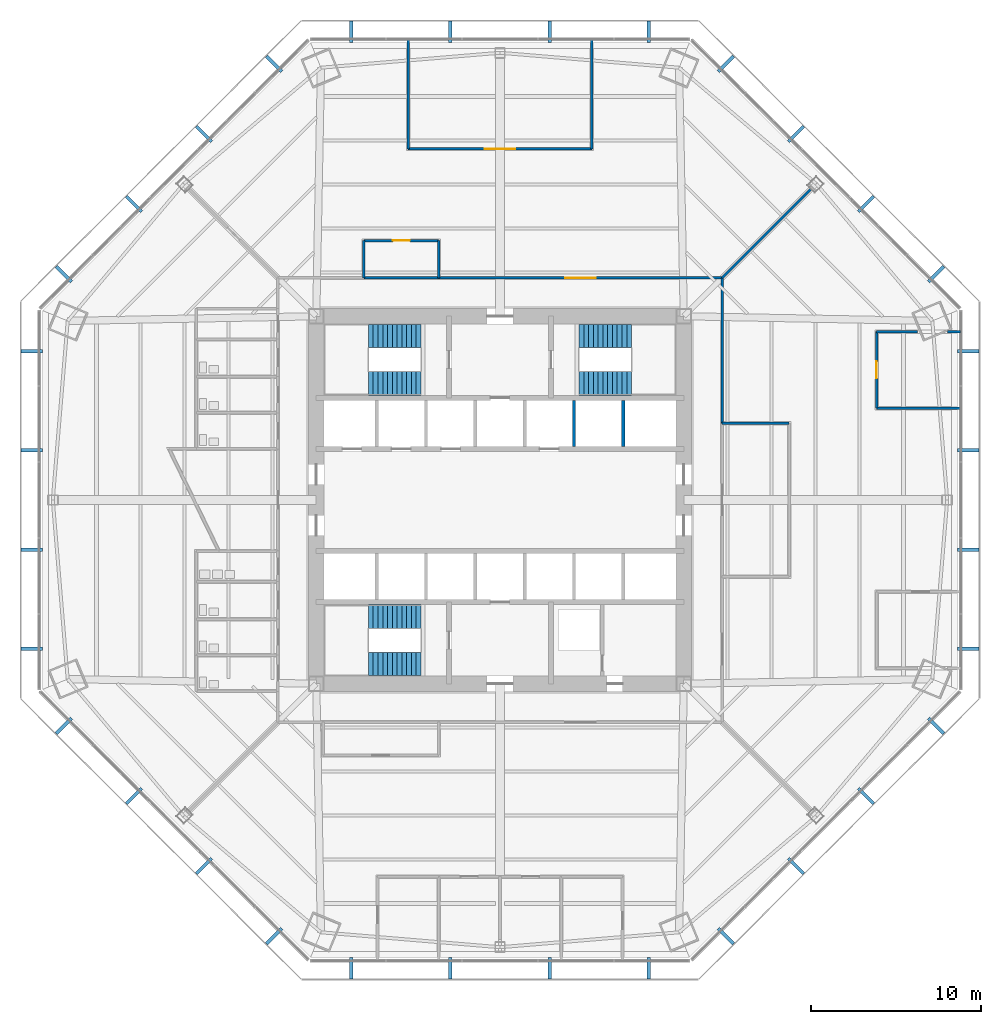
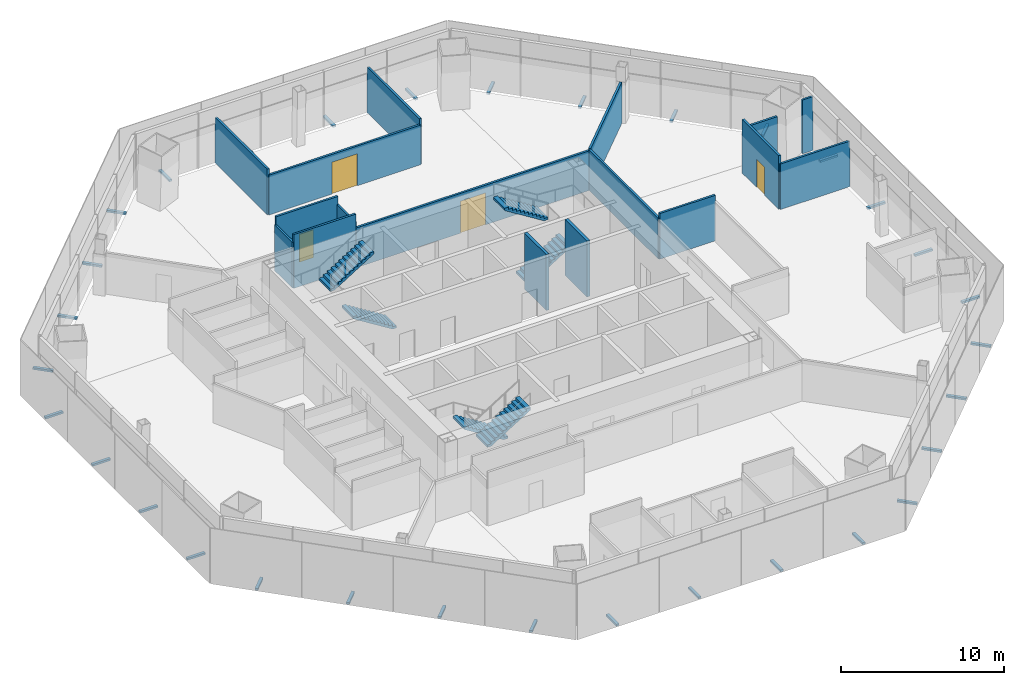
# One storey, part 11 of 14: 32 discrete accessories, 17 walls, 6 stair flights, 4 doors, 4 openings, 3 elements without a shape of their own.
"""IFC4 building model written with IfcOpenShell, lengths in metres."""

from ifc_helpers import new_model, si_unit, direction, frame, frame_2d, origin, origin_2d, place, context, subcontext, project, spatial, polyline, rectangle, outline, extrude, source, transform, mapped, material, layer, layer_set, type_object, type_shapes, element, fill, aggregate, save


model = new_model("IFC4")

# Units and contexts
model_context = context("Model", 3, precision=1e-05, world=origin(), true_north=direction((0.0, 1.0)))
body_context = subcontext(model_context, "Body", "Model", "MODEL_VIEW")
ifc_project = project(units=[si_unit("LENGTHUNIT", "METRE"), si_unit("AREAUNIT", "SQUARE_METRE"), si_unit("VOLUMEUNIT", "CUBIC_METRE"), si_unit("PLANEANGLEUNIT", "RADIAN"), si_unit("MASSUNIT", "GRAM", prefix="KILO")], contexts=[model_context])

# Site, building, storey
site_placement = place(None, origin())
site = spatial("IfcSite", under=ifc_project, at=site_placement, CompositionType="ELEMENT")
building_placement = place(site_placement, origin())
building = spatial("IfcBuilding", under=site, at=building_placement, Name="Mashrafa Tower", CompositionType="ELEMENT")
storey_placement = place(building_placement, frame((0.0, 0.0, 33.0)))
storey = spatial("IfcBuildingStorey", under=building, at=storey_placement, Name="L06", CompositionType="ELEMENT", Elevation=33.0)

# Wall
ifc_material_1 = material(Name="Gypsum board on steel studs", Category="steel")
ifc_layer_1 = layer(ifc_material_1, 0.14990234375)
ifc_layer_set_1 = layer_set([ifc_layer_1], Name="Corridor partition 150 1 hr")
wall_type_1 = type_object("IfcWallType", Name="Corridor partition 150 1 hr", PredefinedType="PARTITIONING", material=ifc_layer_set_1)
wall_1_placement = place(storey_placement, frame((-3.59912109375, 13.050048828125, 0.0), z_axis=(0.0, 0.0, 1.0), x_axis=(-1.0, 0.0, 0.0)))
element("IfcWall", 1, at=wall_1_placement, inside=storey, type_object=wall_type_1, Name="Corridor wall L06-011", PredefinedType="PARTITIONING", context=body_context, shape_type="SweptSolid", body=[
    extrude(rectangle(XDim=4.40185546875, YDim=0.14990234375, at=frame_2d((2.200927734375, 0.0))), origin(), (0.0, 0.0, 1.0), 4.034912109375),
])

# Wall, opening, door
wall_2_placement = place(storey_placement, frame((13.050048828125, 13.050048828125, 0.0), z_axis=(0.0, 0.0, 1.0), x_axis=(-1.0, 0.0, 0.0)))
wall_2 = element("IfcWall", 2, at=wall_2_placement, inside=storey, type_object=wall_type_1, Name="Corridor wall L06-014", PredefinedType="PARTITIONING", context=body_context, shape_type="SweptSolid", body=[
    extrude(rectangle(XDim=16.651123046875, YDim=0.14990234375, at=frame_2d((8.32568359375, 0.0))), origin(), (0.0, 0.0, 1.0), 2.983642578125),
])
opening_1_placement = place(wall_2_placement, frame((7.425537109375, 0.0, 0.0)))
opening_1 = element("IfcOpeningElement", 3, at=opening_1_placement, cuts=wall_2, Name="Opening 06.020", PredefinedType="OPENING", context=body_context, shape_type="SweptSolid", body=[
    extrude(rectangle(XDim=1.800048828125, YDim=2.39990234375, at=frame_2d((0.89990234375, 1.199951171875))), frame((0.0, 0.0849609375, 0.0), z_axis=(0.0, -1.0, 0.0), x_axis=(1.0, 0.0, 0.0)), (0.0, 0.0, 1.0), 0.169921875),
])
ifc_material_2 = material(Name="Timber door", Category="wood")
door_type_1 = type_object("IfcDoorType", Name="Door pair 1800 x 2400", OperationType="DOUBLE_DOOR_SINGLE_SWING", PredefinedType="DOOR", material=ifc_material_2)
door_1_placement = place(opening_1_placement, frame((1.800048828125, 0.0, 0.0), z_axis=(0.0, 0.0, 1.0), x_axis=(-1.0, 0.0, 0.0)))
door_1 = element("IfcDoor", 4, at=door_1_placement, inside=storey, type_object=door_type_1, Name="Corporate Banking Office 06 door", OperationType="DOUBLE_DOOR_SINGLE_SWING", OverallHeight=2.39990234375, OverallWidth=1.800048828125, PredefinedType="DOOR", context=body_context, shape_type="SweptSolid", body=[
    extrude(rectangle(XDim=1.800048828125, YDim=2.39990234375, at=frame_2d((0.89990234375, 1.199951171875))), frame((0.0, 0.02490234375, 0.0), z_axis=(0.0, -1.0, 0.0), x_axis=(1.0, 0.0, 0.0)), (0.0, 0.0, 1.0), 0.050048828125),
])
fill(opening_1, door_1)

# Walls
wall_3_placement = place(storey_placement, frame((13.050048828125, 4.4990234375, 0.0), z_axis=(0.0, 0.0, 1.0), x_axis=(0.0, 1.0, 0.0)))
element("IfcWall", 5, at=wall_3_placement, inside=storey, type_object=wall_type_1, Name="Corridor wall L06-016", PredefinedType="PARTITIONING", context=body_context, shape_type="SweptSolid", body=[
    extrude(rectangle(XDim=8.551025390625, YDim=0.14990234375, at=frame_2d((4.275390625, 0.0))), origin(), (0.0, 0.0, 1.0), 3.06494140625),
])
wall_4_placement = place(storey_placement, frame((17.0, 4.5, 0.0), z_axis=(0.0, 0.0, 1.0), x_axis=(-1.0, 0.0, 0.0)))
element("IfcWall", 6, at=wall_4_placement, inside=storey, type_object=wall_type_1, Name="Corridor wall L06-044", PredefinedType="PARTITIONING", context=body_context, shape_type="SweptSolid", body=[
    extrude(rectangle(XDim=3.949951171875, YDim=0.14990234375, at=frame_2d((1.97509765625, 0.0))), origin(), (0.0, 0.0, 1.0), 3.425537109375),
])
ifc_material_3 = material(Name="Gypsum board on steel studs", Category="steel")
ifc_layer_2 = layer(ifc_material_3, 0.14990234375)
ifc_layer_set_2 = layer_set([ifc_layer_2], Name="Partition 150")
wall_type_2 = type_object("IfcWallType", Name="Partition 150", PredefinedType="PARTITIONING", material=ifc_layer_set_2)
wall_5_placement = place(storey_placement, frame((-5.39990234375, 27.063232421875, 0.0), z_axis=(0.0, 0.0, 1.0), x_axis=(0.0, -1.0, 0.0)))
element("IfcWall", 7, at=wall_5_placement, inside=storey, type_object=wall_type_2, Name="Partition wall L06-045", PredefinedType="PARTITIONING", context=body_context, shape_type="SweptSolid", body=[
    extrude(rectangle(XDim=6.43212890625, YDim=0.14990234375, at=frame_2d((3.216064453125, 0.0))), origin(), (0.0, 0.0, 1.0), 3.423095703125),
])

# Wall, opening, door
wall_6_placement = place(storey_placement, frame((-5.39990234375, 20.631103515625, 0.0), z_axis=(0.0, 0.0, 1.0), x_axis=(1.0, 0.0, 0.0)))
wall_6 = element("IfcWall", 8, at=wall_6_placement, inside=storey, type_object=wall_type_2, Name="Partition wall L06-046", PredefinedType="PARTITIONING", context=body_context, shape_type="SweptSolid", body=[
    extrude(rectangle(XDim=10.7998046875, YDim=0.14990234375, at=frame_2d((5.39990234375, 0.0))), origin(), (0.0, 0.0, 1.0), 2.983642578125),
])
opening_2_placement = place(wall_6_placement, frame((4.5, 0.0, 0.0)))
opening_2 = element("IfcOpeningElement", 9, at=opening_2_placement, cuts=wall_6, Name="Opening 06.011", PredefinedType="OPENING", context=body_context, shape_type="SweptSolid", body=[
    extrude(rectangle(XDim=1.800048828125, YDim=2.39990234375, at=frame_2d((0.89990234375, 1.199951171875))), frame((0.0, 0.0849609375, 0.0), z_axis=(0.0, -1.0, 0.0), x_axis=(1.0, 0.0, 0.0)), (0.0, 0.0, 1.0), 0.169921875),
])
door_2_placement = place(opening_2_placement, origin())
door_2 = element("IfcDoor", 10, at=door_2_placement, inside=storey, type_object=door_type_1, Name="Board Room 06 door", OperationType="DOUBLE_DOOR_SINGLE_SWING", OverallHeight=2.39990234375, OverallWidth=1.800048828125, PredefinedType="DOOR", context=body_context, shape_type="SweptSolid", body=[
    extrude(rectangle(XDim=1.800048828125, YDim=2.39990234375, at=frame_2d((0.89990234375, 1.199951171875))), frame((0.0, 0.02490234375, 0.0), z_axis=(0.0, -1.0, 0.0), x_axis=(1.0, 0.0, 0.0)), (0.0, 0.0, 1.0), 0.050048828125),
])
fill(opening_2, door_2)

# Walls
wall_7_placement = place(storey_placement, frame((5.39990234375, 20.631103515625, 0.0), z_axis=(0.0, 0.0, 1.0), x_axis=(0.0, 1.0, 0.0)))
element("IfcWall", 11, at=wall_7_placement, inside=storey, type_object=wall_type_2, Name="Partition wall L06-047", PredefinedType="PARTITIONING", context=body_context, shape_type="SweptSolid", body=[
    extrude(rectangle(XDim=6.43212890625, YDim=0.14990234375, at=frame_2d((3.216064453125, 0.0))), origin(), (0.0, 0.0, 1.0), 3.423095703125),
])
wall_8_placement = place(storey_placement, frame((-3.60009765625, 13.050048828125, 0.0), z_axis=(0.0, 0.0, 1.0), x_axis=(0.0, 1.0, 0.0)))
element("IfcWall", 12, at=wall_8_placement, inside=storey, type_object=wall_type_2, Name="Partition wall L06-048", PredefinedType="PARTITIONING", context=body_context, shape_type="SweptSolid", body=[
    extrude(rectangle(XDim=2.199951171875, YDim=0.14990234375, at=frame_2d((1.10009765625, 0.0))), origin(), (0.0, 0.0, 1.0), 3.425537109375),
])

# Wall, opening, door
wall_9_placement = place(storey_placement, frame((-3.60009765625, 15.25, 0.0), z_axis=(0.0, 0.0, 1.0), x_axis=(-1.0, 0.0, 0.0)))
wall_9 = element("IfcWall", 13, at=wall_9_placement, inside=storey, type_object=wall_type_2, Name="Partition wall L06-049", PredefinedType="PARTITIONING", context=body_context, shape_type="SweptSolid", body=[
    extrude(rectangle(XDim=4.39990234375, YDim=0.14990234375, at=frame_2d((2.199951171875, 0.0))), origin(), (0.0, 0.0, 1.0), 4.034912109375),
])
opening_3_placement = place(wall_9_placement, frame((1.699951171875, 0.0, 0.0)))
opening_3 = element("IfcOpeningElement", 14, at=opening_3_placement, cuts=wall_9, Name="Opening 06.012", PredefinedType="OPENING", context=body_context, shape_type="SweptSolid", body=[
    extrude(rectangle(XDim=1.0, YDim=2.10009765625, at=frame_2d((0.5, 1.050048828125))), frame((0.0, 0.0849609375, 0.0), z_axis=(0.0, -1.0, 0.0), x_axis=(1.0, 0.0, 0.0)), (0.0, 0.0, 1.0), 0.169921875),
])
ifc_material_4 = material(Name="Timber door", Category="wood")
door_type_2 = type_object("IfcDoorType", Name="Door 1000 x 2100", OperationType="USERDEFINED", PredefinedType="DOOR", material=ifc_material_4)
door_3_placement = place(opening_3_placement, origin())
door_3 = element("IfcDoor", 15, at=door_3_placement, inside=storey, type_object=door_type_2, Name="Pantry 06 door", OperationType="SINGLE_SWING_LEFT", OverallHeight=2.10009765625, OverallWidth=1.0, PredefinedType="DOOR", context=body_context, shape_type="SweptSolid", body=[
    extrude(rectangle(XDim=1.0, YDim=2.10009765625, at=frame_2d((0.5, 1.050048828125))), frame((0.0, 0.02490234375, 0.0), z_axis=(0.0, -1.0, 0.0), x_axis=(1.0, 0.0, 0.0)), (0.0, 0.0, 1.0), 0.050048828125),
])
fill(opening_3, door_3)

# Walls
wall_10_placement = place(storey_placement, frame((-8.0, 15.25, 0.0), z_axis=(0.0, 0.0, 1.0), x_axis=(0.0, -1.0, 0.0)))
element("IfcWall", 16, at=wall_10_placement, inside=storey, type_object=wall_type_2, Name="Partition wall L06-050", PredefinedType="PARTITIONING", context=body_context, shape_type="SweptSolid", body=[
    extrude(rectangle(XDim=2.199951171875, YDim=0.14990234375, at=frame_2d((1.10009765625, 0.0))), origin(), (0.0, 0.0, 1.0), 3.425537109375),
])
wall_11_placement = place(storey_placement, frame((27.063232421875, 9.89990234375, 0.0), z_axis=(0.0, 0.0, 1.0), x_axis=(-1.0, 0.0, 0.0)))
element("IfcWall", 17, at=wall_11_placement, inside=storey, type_object=wall_type_2, Name="Partition wall L06-063", PredefinedType="PARTITIONING", context=body_context, shape_type="SweptSolid", body=[
    extrude(rectangle(XDim=0.760986328125, YDim=0.14990234375, at=frame_2d((0.38037109375, 0.0))), origin(), (0.0, 0.0, 1.0), 4.034912109375),
])
wall_12_placement = place(storey_placement, frame((24.5263671875, 9.89990234375, 0.0), z_axis=(0.0, 0.0, 1.0), x_axis=(-1.0, 0.0, 0.0)))
element("IfcWall", 18, at=wall_12_placement, inside=storey, type_object=wall_type_2, Name="Partition wall L06-064", PredefinedType="PARTITIONING", context=body_context, shape_type="SweptSolid", body=[
    extrude(rectangle(XDim=2.395263671875, YDim=0.14990234375, at=frame_2d((1.19775390625, 0.0))), origin(), (0.0, 0.0, 1.0), 3.423095703125),
])

# Wall, opening, door
wall_13_placement = place(storey_placement, frame((22.131103515625, 9.89990234375, 0.0), z_axis=(0.0, 0.0, 1.0), x_axis=(0.0, -1.0, 0.0)))
wall_13 = element("IfcWall", 19, at=wall_13_placement, inside=storey, type_object=wall_type_2, Name="Partition wall L06-065", PredefinedType="PARTITIONING", context=body_context, shape_type="SweptSolid", body=[
    extrude(rectangle(XDim=4.5, YDim=0.14990234375, at=frame_2d((2.25, 0.0))), origin(), (0.0, 0.0, 1.0), 4.034912109375),
])
opening_4_placement = place(wall_13_placement, frame((1.75, 0.0, 0.0)))
opening_4 = element("IfcOpeningElement", 20, at=opening_4_placement, cuts=wall_13, Name="Opening 06.018", PredefinedType="OPENING", context=body_context, shape_type="SweptSolid", body=[
    extrude(rectangle(XDim=1.0, YDim=2.10009765625, at=frame_2d((0.5, 1.050048828125))), frame((0.0, 0.0849609375, 0.0), z_axis=(0.0, -1.0, 0.0), x_axis=(1.0, 0.0, 0.0)), (0.0, 0.0, 1.0), 0.169921875),
])
door_4_placement = place(opening_4_placement, origin())
door_4 = element("IfcDoor", 21, at=door_4_placement, inside=storey, type_object=door_type_2, Name="Meeting Room 06-1 door", OperationType="SINGLE_SWING_RIGHT", OverallHeight=2.10009765625, OverallWidth=1.0, PredefinedType="DOOR", context=body_context, shape_type="SweptSolid", body=[
    extrude(rectangle(XDim=1.0, YDim=2.10009765625, at=frame_2d((0.5, 1.050048828125))), frame((0.0, 0.02490234375, 0.0), z_axis=(0.0, -1.0, 0.0), x_axis=(1.0, 0.0, 0.0)), (0.0, 0.0, 1.0), 0.050048828125),
])
fill(opening_4, door_4)

# Walls
wall_14_placement = place(storey_placement, frame((22.131103515625, 5.39990234375, 0.0), z_axis=(0.0, 0.0, 1.0), x_axis=(1.0, 0.0, 0.0)))
element("IfcWall", 22, at=wall_14_placement, inside=storey, type_object=wall_type_2, Name="Partition wall L06-066", PredefinedType="PARTITIONING", context=body_context, shape_type="SweptSolid", body=[
    extrude(rectangle(XDim=4.93212890625, YDim=0.14990234375, at=frame_2d((2.466064453125, 0.0))), origin(), (0.0, 0.0, 1.0), 3.423095703125),
])
wall_15_placement = place(storey_placement, frame((13.050048828125, 13.050048828125, 0.0), z_axis=(0.0, 0.0, 1.0), x_axis=(0.707106781187, 0.707106781187, 0.0)))
element("IfcWall", 23, at=wall_15_placement, inside=storey, type_object=wall_type_2, Name="Partition wall L06-071", PredefinedType="PARTITIONING", context=body_context, shape_type="SweptSolid", body=[
    extrude(rectangle(XDim=7.3876953125, YDim=0.14990234375, at=frame_2d((3.69384765625, 0.0))), origin(), (0.0, 0.0, 1.0), 3.097900390625),
])
ifc_material_5 = material(Name="Gypsum shaft wall on steel studs", Category="steel")
ifc_layer_3 = layer(ifc_material_5, 0.199951171875)
ifc_layer_set_3 = layer_set([ifc_layer_3], Name="Shaft divider wall 200 2 hr")
wall_type_3 = type_object("IfcWallType", Name="Shaft divider wall 200 2 hr", PredefinedType="PARTITIONING", material=ifc_layer_set_3)
for number, where, z_axis, x_axis, name in (
    (24, (4.35009765625, 3.14990234375, 0.0), (0.0, 0.0, 1.0), (0.0, 1.0, 0.0), "Shaft divider wall N5 L06"),
    (25, (7.25, 3.14990234375, 0.0), (0.0, 0.0, 1.0), (0.0, 1.0, 0.0), "Shaft divider wall N6 L06"),
):
    element("IfcWall", number, at=place(storey_placement, frame(where, z_axis=z_axis, x_axis=x_axis)), inside=storey, type_object=wall_type_3, Name=name, PredefinedType="PARTITIONING", context=body_context, shape_type="SweptSolid", body=[
        extrude(rectangle(XDim=2.7001953125, YDim=0.199951171875, at=frame_2d((1.35009765625, 0.0))), origin(), (0.0, 0.0, 1.0), 4.199951171875),
    ])

# Stair, stair flights
ifc_material_6 = material(Name="Exit stair 1400")
stair_type = type_object("IfcStairType", Name="Exit stair 1400", PredefinedType="HALF_TURN_STAIR", material=ifc_material_6)
stair_1_placement = place(storey_placement, origin())
stair_1 = element("IfcStair", 26, at=stair_1_placement, inside=storey, type_object=stair_type, Name="Stair S1 L06", PredefinedType="HALF_TURN_STAIR")
ifc_material_7 = material(Name="Concrete C32/40", Category="concrete")
stair_flight_type = type_object("IfcStairFlightType", Name="Stair flight 1400", PredefinedType="STRAIGHT", material=ifc_material_7)
stair_flight_1_placement = place(storey_placement, frame((-4.64990234375, 6.85009765625, 0.0), z_axis=(0.0, 0.0, 1.0), x_axis=(-1.0, 0.0, 0.0)))
stair_flight_1 = element("IfcStairFlight", 27, at=stair_flight_1_placement, type_object=stair_flight_type, Name="S1 flight 1", NumberOfRisers=12, NumberOfTreads=11, PredefinedType="STRAIGHT", RiserHeight=0.175, TreadLength=0.28, context=body_context, shape_type="SweptSolid", body=[
    extrude(outline(polyline([(0.0, 0.0), (0.0, 0.175048828125), (0.280029296875, 0.175048828125), (0.280029296875, 0.35009765625), (0.56005859375, 0.35009765625), (0.56005859375, 0.52490234375), (0.840087890625, 0.52490234375), (0.840087890625, 0.699951171875), (1.1201171875, 0.699951171875), (1.1201171875, 0.875), (1.39990234375, 0.875), (1.39990234375, 1.050048828125), (1.679931640625, 1.050048828125), (1.679931640625, 1.22509765625), (1.9599609375, 1.22509765625), (1.9599609375, 1.39990234375), (2.239990234375, 1.39990234375), (2.239990234375, 1.574951171875), (2.52001953125, 1.574951171875), (2.52001953125, 1.75), (2.800048828125, 1.75), (2.800048828125, 1.925048828125), (3.080078125, 1.925048828125), (3.080078125, 2.10009765625), (3.080078125, 1.748291015625), (0.28271484375, 0.0), (0.0, 0.0)])), frame((0.0, 0.699951171875, 0.0), z_axis=(0.0, -1.0, 0.0), x_axis=(1.0, 0.0, 0.0)), (0.0, 0.0, 1.0), 1.39990234375),
])
stair_flight_2_placement = place(storey_placement, frame((-7.72998046875, 9.64990234375, 2.10009765625), z_axis=(0.0, 0.0, 1.0), x_axis=(1.0, 0.0, 0.0)))
stair_flight_2 = element("IfcStairFlight", 28, at=stair_flight_2_placement, type_object=stair_flight_type, Name="S1 flight 2", NumberOfRisers=12, NumberOfTreads=11, PredefinedType="STRAIGHT", RiserHeight=0.175, TreadLength=0.28, context=body_context, shape_type="SweptSolid", body=[
    extrude(outline(polyline([(0.0, 0.0), (0.0, 0.175048828125), (0.280029296875, 0.175048828125), (0.280029296875, 0.35009765625), (0.56005859375, 0.35009765625), (0.56005859375, 0.52490234375), (0.840087890625, 0.52490234375), (0.840087890625, 0.699951171875), (1.1201171875, 0.699951171875), (1.1201171875, 0.875), (1.39990234375, 0.875), (1.39990234375, 1.050048828125), (1.679931640625, 1.050048828125), (1.679931640625, 1.22509765625), (1.9599609375, 1.22509765625), (1.9599609375, 1.39990234375), (2.239990234375, 1.39990234375), (2.239990234375, 1.574951171875), (2.52001953125, 1.574951171875), (2.52001953125, 1.75), (2.800048828125, 1.75), (2.800048828125, 1.925048828125), (3.080078125, 1.925048828125), (3.080078125, 2.10009765625), (3.080078125, 1.748291015625), (0.28271484375, 0.0), (0.0, 0.0)])), frame((0.0, 0.699951171875, 0.0), z_axis=(0.0, -1.0, 0.0), x_axis=(1.0, 0.0, 0.0)), (0.0, 0.0, 1.0), 1.39990234375),
])
aggregate(stair_1, [stair_flight_1, stair_flight_2])

stair_2_placement = place(storey_placement, origin())
stair_2 = element("IfcStair", 29, at=stair_2_placement, inside=storey, type_object=stair_type, Name="Stair S2 L06", PredefinedType="HALF_TURN_STAIR")
stair_flight_3_placement = place(storey_placement, frame((4.64990234375, 6.85009765625, 0.0), z_axis=(0.0, 0.0, 1.0), x_axis=(1.0, 0.0, 0.0)))
stair_flight_3 = element("IfcStairFlight", 30, at=stair_flight_3_placement, type_object=stair_flight_type, Name="S2 flight 1", NumberOfRisers=12, NumberOfTreads=11, PredefinedType="STRAIGHT", RiserHeight=0.175, TreadLength=0.28, context=body_context, shape_type="SweptSolid", body=[
    extrude(outline(polyline([(0.0, 0.0), (0.0, 0.175048828125), (0.280029296875, 0.175048828125), (0.280029296875, 0.35009765625), (0.56005859375, 0.35009765625), (0.56005859375, 0.52490234375), (0.840087890625, 0.52490234375), (0.840087890625, 0.699951171875), (1.1201171875, 0.699951171875), (1.1201171875, 0.875), (1.39990234375, 0.875), (1.39990234375, 1.050048828125), (1.679931640625, 1.050048828125), (1.679931640625, 1.22509765625), (1.9599609375, 1.22509765625), (1.9599609375, 1.39990234375), (2.239990234375, 1.39990234375), (2.239990234375, 1.574951171875), (2.52001953125, 1.574951171875), (2.52001953125, 1.75), (2.800048828125, 1.75), (2.800048828125, 1.925048828125), (3.080078125, 1.925048828125), (3.080078125, 2.10009765625), (3.080078125, 1.748291015625), (0.28271484375, 0.0), (0.0, 0.0)])), frame((0.0, 0.699951171875, 0.0), z_axis=(0.0, -1.0, 0.0), x_axis=(1.0, 0.0, 0.0)), (0.0, 0.0, 1.0), 1.39990234375),
])
stair_flight_4_placement = place(storey_placement, frame((7.72998046875, 9.64990234375, 2.10009765625), z_axis=(0.0, 0.0, 1.0), x_axis=(-1.0, 0.0, 0.0)))
stair_flight_4 = element("IfcStairFlight", 31, at=stair_flight_4_placement, type_object=stair_flight_type, Name="S2 flight 2", NumberOfRisers=12, NumberOfTreads=11, PredefinedType="STRAIGHT", RiserHeight=0.175, TreadLength=0.28, context=body_context, shape_type="SweptSolid", body=[
    extrude(outline(polyline([(0.0, 0.0), (0.0, 0.175048828125), (0.280029296875, 0.175048828125), (0.280029296875, 0.35009765625), (0.56005859375, 0.35009765625), (0.56005859375, 0.52490234375), (0.840087890625, 0.52490234375), (0.840087890625, 0.699951171875), (1.1201171875, 0.699951171875), (1.1201171875, 0.875), (1.39990234375, 0.875), (1.39990234375, 1.050048828125), (1.679931640625, 1.050048828125), (1.679931640625, 1.22509765625), (1.9599609375, 1.22509765625), (1.9599609375, 1.39990234375), (2.239990234375, 1.39990234375), (2.239990234375, 1.574951171875), (2.52001953125, 1.574951171875), (2.52001953125, 1.75), (2.800048828125, 1.75), (2.800048828125, 1.925048828125), (3.080078125, 1.925048828125), (3.080078125, 2.10009765625), (3.080078125, 1.748291015625), (0.28271484375, 0.0), (0.0, 0.0)])), frame((0.0, 0.699951171875, 0.0), z_axis=(0.0, -1.0, 0.0), x_axis=(1.0, 0.0, 0.0)), (0.0, 0.0, 1.0), 1.39990234375),
])
aggregate(stair_2, [stair_flight_3, stair_flight_4])

stair_3_placement = place(storey_placement, origin())
stair_3 = element("IfcStair", 32, at=stair_3_placement, inside=storey, type_object=stair_type, Name="Stair S3 L06", PredefinedType="HALF_TURN_STAIR")
stair_flight_5_placement = place(storey_placement, frame((-4.64990234375, -6.85009765625, 0.0), z_axis=(0.0, 0.0, 1.0), x_axis=(-1.0, 0.0, 0.0)))
stair_flight_5 = element("IfcStairFlight", 33, at=stair_flight_5_placement, type_object=stair_flight_type, Name="S3 flight 1", NumberOfRisers=12, NumberOfTreads=11, PredefinedType="STRAIGHT", RiserHeight=0.175, TreadLength=0.28, context=body_context, shape_type="SweptSolid", body=[
    extrude(outline(polyline([(0.0, 0.0), (0.0, 0.175048828125), (0.280029296875, 0.175048828125), (0.280029296875, 0.35009765625), (0.56005859375, 0.35009765625), (0.56005859375, 0.52490234375), (0.840087890625, 0.52490234375), (0.840087890625, 0.699951171875), (1.1201171875, 0.699951171875), (1.1201171875, 0.875), (1.39990234375, 0.875), (1.39990234375, 1.050048828125), (1.679931640625, 1.050048828125), (1.679931640625, 1.22509765625), (1.9599609375, 1.22509765625), (1.9599609375, 1.39990234375), (2.239990234375, 1.39990234375), (2.239990234375, 1.574951171875), (2.52001953125, 1.574951171875), (2.52001953125, 1.75), (2.800048828125, 1.75), (2.800048828125, 1.925048828125), (3.080078125, 1.925048828125), (3.080078125, 2.10009765625), (3.080078125, 1.748291015625), (0.28271484375, 0.0), (0.0, 0.0)])), frame((0.0, 0.699951171875, 0.0), z_axis=(0.0, -1.0, 0.0), x_axis=(1.0, 0.0, 0.0)), (0.0, 0.0, 1.0), 1.39990234375),
])
stair_flight_6_placement = place(storey_placement, frame((-7.72998046875, -9.64990234375, 2.10009765625), z_axis=(0.0, 0.0, 1.0), x_axis=(1.0, 0.0, 0.0)))
stair_flight_6 = element("IfcStairFlight", 34, at=stair_flight_6_placement, type_object=stair_flight_type, Name="S3 flight 2", NumberOfRisers=12, NumberOfTreads=11, PredefinedType="STRAIGHT", RiserHeight=0.175, TreadLength=0.28, context=body_context, shape_type="SweptSolid", body=[
    extrude(outline(polyline([(0.0, 0.0), (0.0, 0.175048828125), (0.280029296875, 0.175048828125), (0.280029296875, 0.35009765625), (0.56005859375, 0.35009765625), (0.56005859375, 0.52490234375), (0.840087890625, 0.52490234375), (0.840087890625, 0.699951171875), (1.1201171875, 0.699951171875), (1.1201171875, 0.875), (1.39990234375, 0.875), (1.39990234375, 1.050048828125), (1.679931640625, 1.050048828125), (1.679931640625, 1.22509765625), (1.9599609375, 1.22509765625), (1.9599609375, 1.39990234375), (2.239990234375, 1.39990234375), (2.239990234375, 1.574951171875), (2.52001953125, 1.574951171875), (2.52001953125, 1.75), (2.800048828125, 1.75), (2.800048828125, 1.925048828125), (3.080078125, 1.925048828125), (3.080078125, 2.10009765625), (3.080078125, 1.748291015625), (0.28271484375, 0.0), (0.0, 0.0)])), frame((0.0, 0.699951171875, 0.0), z_axis=(0.0, -1.0, 0.0), x_axis=(1.0, 0.0, 0.0)), (0.0, 0.0, 1.0), 1.39990234375),
])
aggregate(stair_3, [stair_flight_5, stair_flight_6])

# Discrete accessories
ifc_material_8 = material(Name="Stainless steel screen bracket", Category="steel")
discrete_accessory_type = type_object("IfcDiscreteAccessoryType", Name="Screen support bracket 200 x 150", PredefinedType="BRACKET", material=ifc_material_8)
shared_shape = source(origin(), body_context, "Body", "SweptSolid", [
    extrude(rectangle(XDim=0.199951171875, YDim=1.27001953125, at=origin_2d()), origin(), (0.0, 0.0, 1.0), 0.14990234375),
])
type_shapes(discrete_accessory_type, [shared_shape])
for number, where, z_axis, x_axis, name in (
    (35, (27.51611328125, -8.738037109375, -0.14990234375), (0.0, 0.0, 1.0), (0.0, 1.0, 0.0), "Screen support bracket L06 east 1"),
    (36, (27.51611328125, -2.91259765625, -0.14990234375), (0.0, 0.0, 1.0), (0.0, 1.0, 0.0), "Screen support bracket L06 east 2"),
    (37, (27.51611328125, 2.91259765625, -0.14990234375), (0.0, 0.0, 1.0), (0.0, 1.0, 0.0), "Screen support bracket L06 east 3"),
    (38, (27.51611328125, 8.738037109375, -0.14990234375), (0.0, 0.0, 1.0), (0.0, 1.0, 0.0), "Screen support bracket L06 east 4"),
    (39, (25.635498046875, 13.2783203125, -0.14990234375), (0.0, 0.0, 1.0), (-0.707106781187, 0.707106781187, 0.0), "Screen support bracket L06 north-east 1"),
    (40, (21.516357421875, 17.397216796875, -0.14990234375), (0.0, 0.0, 1.0), (-0.707106781187, 0.707106781187, 0.0), "Screen support bracket L06 north-east 2"),
    (41, (17.397216796875, 21.516357421875, -0.14990234375), (0.0, 0.0, 1.0), (-0.707106781187, 0.707106781187, 0.0), "Screen support bracket L06 north-east 3"),
    (42, (13.2783203125, 25.635498046875, -0.14990234375), (0.0, 0.0, 1.0), (-0.707106781187, 0.707106781187, 0.0), "Screen support bracket L06 north-east 4"),
    (43, (8.738037109375, 27.51611328125, -0.14990234375), (0.0, 0.0, 1.0), (-1.0, 0.0, 0.0), "Screen support bracket L06 north 1"),
    (44, (2.91259765625, 27.51611328125, -0.14990234375), (0.0, 0.0, 1.0), (-1.0, 0.0, 0.0), "Screen support bracket L06 north 2"),
    (45, (-2.91259765625, 27.51611328125, -0.14990234375), (0.0, 0.0, 1.0), (-1.0, 0.0, 0.0), "Screen support bracket L06 north 3"),
    (46, (-8.738037109375, 27.51611328125, -0.14990234375), (0.0, 0.0, 1.0), (-1.0, 0.0, 0.0), "Screen support bracket L06 north 4"),
    (47, (-13.2783203125, 25.635498046875, -0.14990234375), (0.0, 0.0, 1.0), (-0.707106781187, -0.707106781187, 0.0), "Screen support bracket L06 north-west 1"),
    (48, (-17.397216796875, 21.516357421875, -0.14990234375), (0.0, 0.0, 1.0), (-0.707106781187, -0.707106781187, 0.0), "Screen support bracket L06 north-west 2"),
    (49, (-21.516357421875, 17.397216796875, -0.14990234375), (0.0, 0.0, 1.0), (-0.707106781187, -0.707106781187, 0.0), "Screen support bracket L06 north-west 3"),
    (50, (-25.635498046875, 13.2783203125, -0.14990234375), (0.0, 0.0, 1.0), (-0.707106781187, -0.707106781187, 0.0), "Screen support bracket L06 north-west 4"),
    (51, (-27.51611328125, 8.738037109375, -0.14990234375), (0.0, 0.0, 1.0), (0.0, -1.0, 0.0), "Screen support bracket L06 west 1"),
    (52, (-27.51611328125, 2.91259765625, -0.14990234375), (0.0, 0.0, 1.0), (0.0, -1.0, 0.0), "Screen support bracket L06 west 2"),
    (53, (-27.51611328125, -2.91259765625, -0.14990234375), (0.0, 0.0, 1.0), (0.0, -1.0, 0.0), "Screen support bracket L06 west 3"),
    (54, (-27.51611328125, -8.738037109375, -0.14990234375), (0.0, 0.0, 1.0), (0.0, -1.0, 0.0), "Screen support bracket L06 west 4"),
    (55, (-25.635498046875, -13.2783203125, -0.14990234375), (0.0, 0.0, 1.0), (0.707106781187, -0.707106781187, 0.0), "Screen support bracket L06 south-west 1"),
    (56, (-21.516357421875, -17.397216796875, -0.14990234375), (0.0, 0.0, 1.0), (0.707106781187, -0.707106781187, 0.0), "Screen support bracket L06 south-west 2"),
    (57, (-17.397216796875, -21.516357421875, -0.14990234375), (0.0, 0.0, 1.0), (0.707106781187, -0.707106781187, 0.0), "Screen support bracket L06 south-west 3"),
    (58, (-13.2783203125, -25.635498046875, -0.14990234375), (0.0, 0.0, 1.0), (0.707106781187, -0.707106781187, 0.0), "Screen support bracket L06 south-west 4"),
    (59, (-8.738037109375, -27.51611328125, -0.14990234375), (0.0, 0.0, 1.0), (1.0, 0.0, 0.0), "Screen support bracket L06 south 1"),
    (60, (-2.91259765625, -27.51611328125, -0.14990234375), (0.0, 0.0, 1.0), (1.0, 0.0, 0.0), "Screen support bracket L06 south 2"),
    (61, (2.91259765625, -27.51611328125, -0.14990234375), (0.0, 0.0, 1.0), (1.0, 0.0, 0.0), "Screen support bracket L06 south 3"),
    (62, (8.738037109375, -27.51611328125, -0.14990234375), (0.0, 0.0, 1.0), (1.0, 0.0, 0.0), "Screen support bracket L06 south 4"),
    (63, (13.2783203125, -25.635498046875, -0.14990234375), (0.0, 0.0, 1.0), (0.707106781187, 0.707106781187, 0.0), "Screen support bracket L06 south-east 1"),
    (64, (17.397216796875, -21.516357421875, -0.14990234375), (0.0, 0.0, 1.0), (0.707106781187, 0.707106781187, 0.0), "Screen support bracket L06 south-east 2"),
    (65, (21.516357421875, -17.397216796875, -0.14990234375), (0.0, 0.0, 1.0), (0.707106781187, 0.707106781187, 0.0), "Screen support bracket L06 south-east 3"),
    (66, (25.635498046875, -13.2783203125, -0.14990234375), (0.0, 0.0, 1.0), (0.707106781187, 0.707106781187, 0.0), "Screen support bracket L06 south-east 4"),
):
    element("IfcDiscreteAccessory", number, at=place(storey_placement, frame(where, z_axis=z_axis, x_axis=x_axis)), inside=storey, type_object=discrete_accessory_type, Name=name, PredefinedType="BRACKET", context=body_context, shape_type="MappedRepresentation", body=[
        mapped(shared_shape, transform((0.0, 0.0, 0.0))),
    ])

save(model, "model.ifc")
